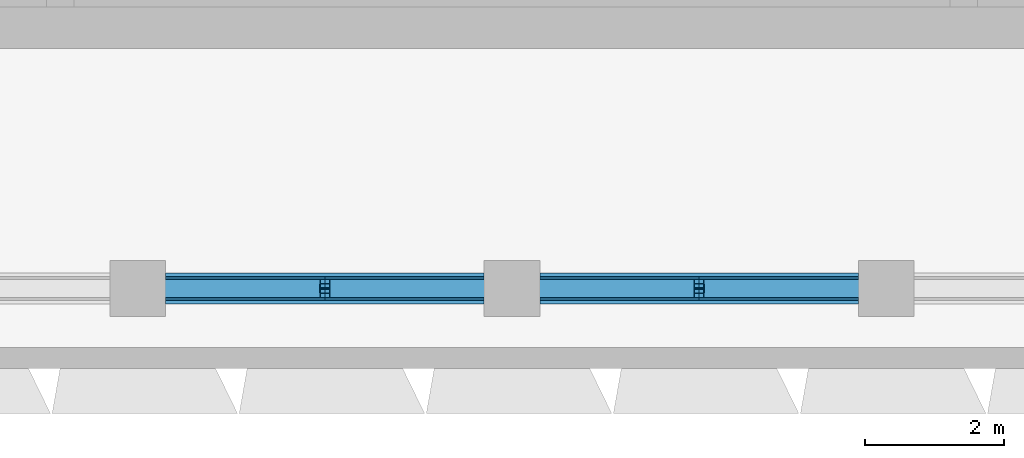
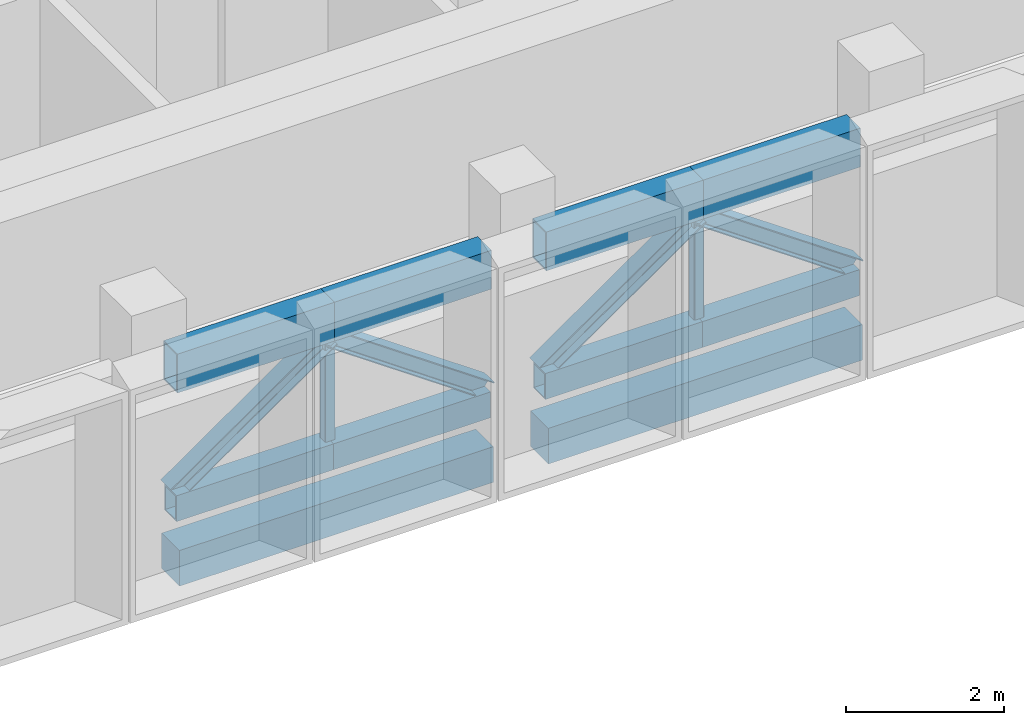
# One storey, part 3 of 24: 14 members, 2 beams.
"""IFC4 building model written with IfcOpenShell, lengths in metres."""

from ifc_helpers import new_model, si_unit, direction, frame, origin, origin_2d, place, context, subcontext, project, spatial, rectangle, hollow_rectangle, i_section, extrude, material, material_profile, profile_set, type_object, element, save


model = new_model("IFC4")

# Units and contexts
model_context = context("Model", 3, precision=1e-05, world=origin(), true_north=direction((0.0, 1.0)))
body_context = subcontext(model_context, "Body", "Model", "MODEL_VIEW")
ifc_project = project(units=[si_unit("LENGTHUNIT", "METRE"), si_unit("AREAUNIT", "SQUARE_METRE"), si_unit("VOLUMEUNIT", "CUBIC_METRE"), si_unit("PLANEANGLEUNIT", "RADIAN"), si_unit("MASSUNIT", "GRAM", prefix="KILO")], contexts=[model_context])

# Site, building, storey
site_placement = place(None, origin())
site = spatial("IfcSite", under=ifc_project, at=site_placement, CompositionType="ELEMENT")
building_placement = place(site_placement, origin())
building = spatial("IfcBuilding", under=site, at=building_placement, Name="Beryl Residences", CompositionType="ELEMENT")
storey_placement = place(building_placement, frame((0.0, 0.0, 199.199951171875)))
storey = spatial("IfcBuildingStorey", under=building, at=storey_placement, Name="L61", CompositionType="ELEMENT", Elevation=199.199951171875)

# Members
ifc_material_1 = material(Name="Steel S355", Category="steel")
ifc_material_profile_1 = material_profile(ifc_material_1, hollow_rectangle(XDim=0.300048828125, YDim=0.39990234375, WallThickness=0.02001953125, at=origin_2d()))
ifc_profile_set_1 = profile_set([ifc_material_profile_1], Name="Steel S355")
member_type_1 = type_object("IfcMemberType", Name="BB4 belt truss bottom chord WB 400x300x20", PredefinedType="CHORD", material=ifc_profile_set_1)
for number, where, z_axis, x_axis, name in (
    (1, (-4.98291015625, -22.449951171875, 0.199951171875), (1.0, 0.0, 0.0), (0.0, 1.0, 0.0), "Belt truss BB4-S-1a L61"),
    (2, (-2.69091796875, -22.449951171875, 0.199951171875), (1.0, 0.0, 0.0), (0.0, 1.0, 0.0), "Belt truss BB4-S-1b L61"),
):
    element("IfcMember", number, at=place(storey_placement, frame(where, z_axis=z_axis, x_axis=x_axis)), inside=storey, type_object=member_type_1, Name=name, PredefinedType="CHORD", context=body_context, shape_type="SweptSolid", body=[
        extrude(hollow_rectangle(XDim=0.300048828125, YDim=0.39990234375, WallThickness=0.02001953125, at=origin_2d()), origin(), (0.0, 0.0, 1.0), 2.2919921875),
    ])
member_1_placement = place(storey_placement, frame((0.40087890625, -22.449951171875, 0.199951171875), z_axis=(1.0, 0.0, 0.0), x_axis=(0.0, 1.0, 0.0)))
element("IfcMember", 3, at=member_1_placement, inside=storey, type_object=member_type_1, Name="Belt truss BB4-S-2a L61", PredefinedType="CHORD", context=body_context, shape_type="SweptSolid", body=[
    extrude(hollow_rectangle(XDim=0.300048828125, YDim=0.39990234375, WallThickness=0.02001953125, at=origin_2d()), origin(), (0.0, 0.0, 1.0), 2.292236328125),
])
member_2_placement = place(storey_placement, frame((2.693115234375, -22.449951171875, 0.199951171875), z_axis=(1.0, 0.0, 0.0), x_axis=(0.0, 1.0, 0.0)))
element("IfcMember", 4, at=member_2_placement, inside=storey, type_object=member_type_1, Name="Belt truss BB4-S-2b L61", PredefinedType="CHORD", context=body_context, shape_type="SweptSolid", body=[
    extrude(hollow_rectangle(XDim=0.300048828125, YDim=0.39990234375, WallThickness=0.02001953125, at=origin_2d()), origin(), (0.0, 0.0, 1.0), 2.2919921875),
])
ifc_material_2 = material(Name="Steel S355", Category="steel")
ifc_material_profile_2 = material_profile(ifc_material_2, i_section(OverallWidth=0.25390625, OverallDepth=0.25390625, WebThickness=0.008544921875, FlangeThickness=0.01416015625, FilletRadius=0.013916015625, at=origin_2d()))
ifc_profile_set_2 = profile_set([ifc_material_profile_2], Name="Steel S355")
member_type_2 = type_object("IfcMemberType", Name="BD4 belt truss diagonal 250UC73", PredefinedType="BRACE", material=ifc_profile_set_2)
for number, where, z_axis, x_axis, name in (
    (5, (-4.98291015625, -22.449951171875, 0.400146484375), (0.81999443742, 0.0, 0.572371490031), (0.0, 1.0, 0.0), "Belt truss BD4-S-1a L61"),
    (6, (-0.39892578125, -22.449951171875, 0.400146484375), (-0.81999443742, 0.0, 0.572371490031), (0.0, -1.0, 0.0), "Belt truss BD4-S-1b L61"),
):
    element("IfcMember", number, at=place(storey_placement, frame(where, z_axis=z_axis, x_axis=x_axis)), inside=storey, type_object=member_type_2, Name=name, PredefinedType="BRACE", context=body_context, shape_type="SweptSolid", body=[
        extrude(i_section(OverallWidth=0.25390625, OverallDepth=0.25390625, WebThickness=0.008544921875, FlangeThickness=0.01416015625, FilletRadius=0.013916015625, at=origin_2d()), origin(), (0.0, 0.0, 1.0), 2.795166015625),
    ])
member_3_placement = place(storey_placement, frame((0.40087890625, -22.449951171875, 0.400146484375), z_axis=(0.82002304935, 0.0, 0.572330497645), x_axis=(0.0, 1.0, 0.0)))
element("IfcMember", 7, at=member_3_placement, inside=storey, type_object=member_type_2, Name="Belt truss BD4-S-2a L61", PredefinedType="BRACE", context=body_context, shape_type="SweptSolid", body=[
    extrude(i_section(OverallWidth=0.25390625, OverallDepth=0.25390625, WebThickness=0.008544921875, FlangeThickness=0.01416015625, FilletRadius=0.013916015625, at=origin_2d()), origin(), (0.0, 0.0, 1.0), 2.79541015625),
])
member_4_placement = place(storey_placement, frame((4.985107421875, -22.449951171875, 0.400146484375), z_axis=(-0.81999443742, 0.0, 0.572371490031), x_axis=(0.0, -1.0, 0.0)))
element("IfcMember", 8, at=member_4_placement, inside=storey, type_object=member_type_2, Name="Belt truss BD4-S-2b L61", PredefinedType="BRACE", context=body_context, shape_type="SweptSolid", body=[
    extrude(i_section(OverallWidth=0.25390625, OverallDepth=0.25390625, WebThickness=0.008544921875, FlangeThickness=0.01416015625, FilletRadius=0.013916015625, at=origin_2d()), origin(), (0.0, 0.0, 1.0), 2.795166015625),
])
ifc_material_3 = material(Name="Steel S355", Category="steel")
ifc_material_profile_3 = material_profile(ifc_material_3, hollow_rectangle(XDim=0.14990234375, YDim=0.14990234375, WallThickness=0.009033203125, InnerFilletRadius=0.009033203125, OuterFilletRadius=0.01806640625, at=origin_2d()))
ifc_profile_set_3 = profile_set([ifc_material_profile_3], Name="Steel S355")
member_type_3 = type_object("IfcMemberType", Name="BQ4 belt truss post SHS 150x150x9", PredefinedType="POST", material=ifc_profile_set_3)
for number, where, z_axis, x_axis, name in (
    (9, (-2.69091796875, -22.449951171875, 0.400146484375), (0.0, 0.0, 1.0), (1.0, 0.0, 0.0), "Belt truss BQ4-S-1 L61"),
    (10, (2.693115234375, -22.449951171875, 0.400146484375), (0.0, 0.0, 1.0), (1.0, 0.0, 0.0), "Belt truss BQ4-S-2 L61"),
):
    element("IfcMember", number, at=place(storey_placement, frame(where, z_axis=z_axis, x_axis=x_axis)), inside=storey, type_object=member_type_3, Name=name, PredefinedType="POST", context=body_context, shape_type="SweptSolid", body=[
        extrude(hollow_rectangle(XDim=0.14990234375, YDim=0.14990234375, WallThickness=0.009033203125, InnerFilletRadius=0.009033203125, OuterFilletRadius=0.01806640625, at=origin_2d()), origin(), (0.0, 0.0, 1.0), 1.599853515625),
    ])
ifc_material_4 = material(Name="Steel S355", Category="steel")
ifc_material_profile_4 = material_profile(ifc_material_4, hollow_rectangle(XDim=0.35009765625, YDim=0.60009765625, WallThickness=0.02490234375, at=origin_2d()))
ifc_profile_set_4 = profile_set([ifc_material_profile_4], Name="Steel S355")
member_type_4 = type_object("IfcMemberType", Name="BT4 belt truss top chord WB 600x350x25", PredefinedType="CHORD", material=ifc_profile_set_4)
for number, where, z_axis, x_axis, name in (
    (11, (-4.98291015625, -22.449951171875, 2.300048828125), (1.0, 0.0, 0.0), (0.0, 1.0, 0.0), "Belt truss BT4-S-1a L61"),
    (12, (-2.69091796875, -22.449951171875, 2.300048828125), (1.0, 0.0, 0.0), (0.0, 1.0, 0.0), "Belt truss BT4-S-1b L61"),
):
    element("IfcMember", number, at=place(storey_placement, frame(where, z_axis=z_axis, x_axis=x_axis)), inside=storey, type_object=member_type_4, Name=name, PredefinedType="CHORD", context=body_context, shape_type="SweptSolid", body=[
        extrude(hollow_rectangle(XDim=0.35009765625, YDim=0.60009765625, WallThickness=0.02490234375, at=origin_2d()), origin(), (0.0, 0.0, 1.0), 2.2919921875),
    ])
member_5_placement = place(storey_placement, frame((0.40087890625, -22.449951171875, 2.300048828125), z_axis=(1.0, 0.0, 0.0), x_axis=(0.0, 1.0, 0.0)))
element("IfcMember", 13, at=member_5_placement, inside=storey, type_object=member_type_4, Name="Belt truss BT4-S-2a L61", PredefinedType="CHORD", context=body_context, shape_type="SweptSolid", body=[
    extrude(hollow_rectangle(XDim=0.35009765625, YDim=0.60009765625, WallThickness=0.02490234375, at=origin_2d()), origin(), (0.0, 0.0, 1.0), 2.292236328125),
])
member_6_placement = place(storey_placement, frame((2.693115234375, -22.449951171875, 2.300048828125), z_axis=(1.0, 0.0, 0.0), x_axis=(0.0, 1.0, 0.0)))
element("IfcMember", 14, at=member_6_placement, inside=storey, type_object=member_type_4, Name="Belt truss BT4-S-2b L61", PredefinedType="CHORD", context=body_context, shape_type="SweptSolid", body=[
    extrude(hollow_rectangle(XDim=0.35009765625, YDim=0.60009765625, WallThickness=0.02490234375, at=origin_2d()), origin(), (0.0, 0.0, 1.0), 2.2919921875),
])

# Beams
ifc_material_5 = material(Name="Concrete C50/60", Category="concrete")
ifc_material_profile_5 = material_profile(ifc_material_5, rectangle(XDim=0.449951171875, YDim=0.550048828125, at=origin_2d()))
ifc_profile_set_5 = profile_set([ifc_material_profile_5], Name="Concrete C50/60")
beam_type = type_object("IfcBeamType", Name="SB4 spandrel beam 450 x 550 C50/60", PredefinedType="SPANDREL", material=ifc_profile_set_5)
beam_1_placement = place(storey_placement, frame((-4.98291015625, -22.449951171875, -0.675048828125), z_axis=(1.0, 0.0, 0.0), x_axis=(0.0, 1.0, 0.0)))
element("IfcBeam", 15, at=beam_1_placement, inside=storey, type_object=beam_type, Name="SB4 L61 S-1", PredefinedType="SPANDREL", context=body_context, shape_type="SweptSolid", body=[
    extrude(rectangle(XDim=0.449951171875, YDim=0.550048828125, at=origin_2d()), origin(), (0.0, 0.0, 1.0), 4.583984375),
])
beam_2_placement = place(storey_placement, frame((0.40087890625, -22.449951171875, -0.675048828125), z_axis=(1.0, 0.0, 0.0), x_axis=(0.0, 1.0, 0.0)))
element("IfcBeam", 16, at=beam_2_placement, inside=storey, type_object=beam_type, Name="SB4 L61 S-2", PredefinedType="SPANDREL", context=body_context, shape_type="SweptSolid", body=[
    extrude(rectangle(XDim=0.449951171875, YDim=0.550048828125, at=origin_2d()), origin(), (0.0, 0.0, 1.0), 4.584228515625),
])

save(model, "model.ifc")
